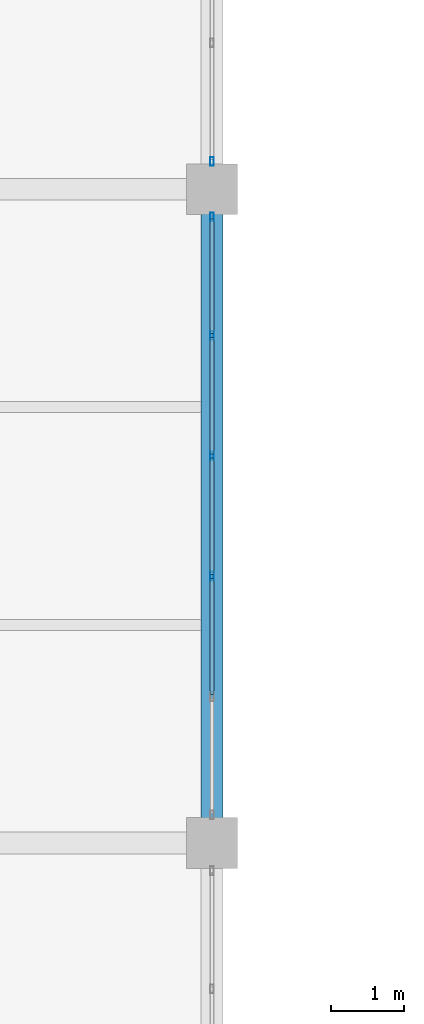
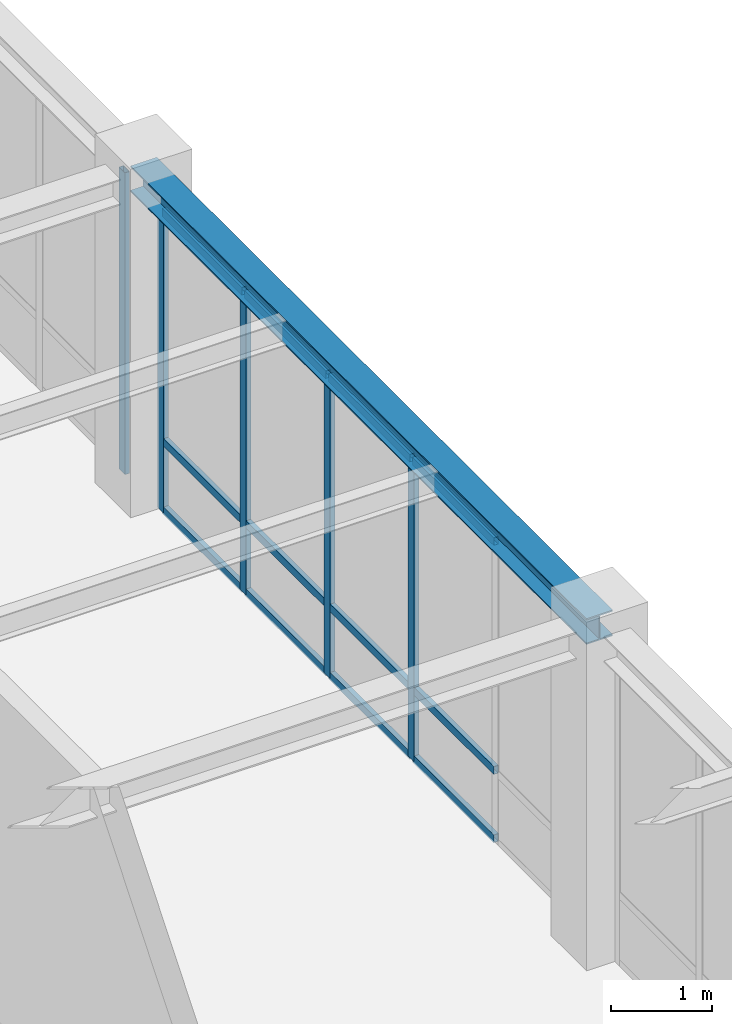
# One storey, part 61 of 108: 17 members, 1 beam, 2 elements without a shape of their own.
"""IFC4 building model written with IfcOpenShell, lengths in metres."""

import ifcopenshell
import ifcopenshell.guid

model = None  # the IFC model being written
_history = None  # IfcOwnerHistory: only IFC2X3 demands one
_inside = {}  # id of a spatial element -> (the spatial element, [elements in it])
_under = {}  # id of a project, library or spatial element -> (it, [spatial elements below it])
_declared = {}  # id of a project -> (the project, [libraries it declares])
_typed = {}  # id of a type object -> (the type object, [elements of that type])
_made_of = {}  # id of a material, layer set ... -> (it, [elements and type objects made of it])


def new_model(schema):
    """Start an empty IFC model of exactly this schema.

    Asked for "IFC4X3", IfcOpenShell would pick the latest addendum, in which some entities
    have other attributes; the version numbers below select the first issue.
    IFC2X3 requires an IfcOwnerHistory on every rooted entity: one is made here for all.
    """
    global model, _history
    if schema == "IFC4X3":
        model = ifcopenshell.file(schema_version=(4, 3, 0, 0))
    else:
        model = ifcopenshell.file(schema=schema)
    _inside.clear()
    _under.clear()
    _declared.clear()
    _typed.clear()
    _made_of.clear()
    _history = None
    if model.schema == "IFC2X3":
        org = make("IfcOrganization", Name="unknown")
        user = make(
            "IfcPersonAndOrganization",
            ThePerson=make("IfcPerson", FamilyName="unknown"),
            TheOrganization=org,
        )
        app = make(
            "IfcApplication",
            ApplicationDeveloper=org,
            Version="unknown",
            ApplicationFullName="unknown",
            ApplicationIdentifier="unknown",
        )
        _history = make(
            "IfcOwnerHistory",
            OwningUser=user,
            OwningApplication=app,
            ChangeAction="ADDED",
            CreationDate=0,
        )
    return model


def make(cls, **values):
    """One entity of the class cls with the attributes given. An attribute that is None is left unset."""
    return model.create_entity(
        cls, **{name: value for name, value in values.items() if value is not None}
    )


def rooted(cls, **values):
    """An entity with a GlobalId (a new one), such as an element, a storey or a relation."""
    return make(cls, GlobalId=ifcopenshell.guid.new(), OwnerHistory=_history, **values)


def si_unit(unit_type, name, prefix=None):
    """IfcSIUnit, for example si_unit("LENGTHUNIT", "METRE", prefix="MILLI")."""
    return make("IfcSIUnit", UnitType=unit_type, Prefix=prefix, Name=name)


def assignment(units):
    """IfcUnitAssignment: the units of a project."""
    return None if units is None else make("IfcUnitAssignment", Units=units)


def point(xyz):
    """IfcCartesianPoint."""
    return None if xyz is None else make("IfcCartesianPoint", Coordinates=xyz)


def direction(xyz):
    """IfcDirection."""
    return None if xyz is None else make("IfcDirection", DirectionRatios=xyz)


def frame(location, z_axis=None, x_axis=None):
    """IfcAxis2Placement3D, a coordinate frame: its origin and axes. An axis left out is left unset."""
    return make(
        "IfcAxis2Placement3D",
        Location=point(location),
        Axis=direction(z_axis),
        RefDirection=direction(x_axis),
    )


def frame_2d(location, x_axis=None):
    """IfcAxis2Placement2D, a coordinate frame in the plane: its origin and x axis."""
    return make(
        "IfcAxis2Placement2D", Location=point(location), RefDirection=direction(x_axis)
    )


def origin():
    """The frame at (0, 0, 0) with its axes left unset."""
    return frame((0.0, 0.0, 0.0))


def origin_2d():
    """The frame at (0, 0) in the plane with its x axis left unset."""
    return frame_2d((0.0, 0.0))


def place(relative_to, where):
    """IfcLocalPlacement: puts the frame where relative to a parent placement (None: the world)."""
    return make(
        "IfcLocalPlacement", PlacementRelTo=relative_to, RelativePlacement=where
    )


def context(
    kind, dimensions, precision=None, world=None, true_north=None, identifier=None
):
    """IfcGeometricRepresentationContext, for example the 3D "Model" context."""
    return make(
        "IfcGeometricRepresentationContext",
        ContextIdentifier=identifier,
        ContextType=kind,
        CoordinateSpaceDimension=dimensions,
        Precision=precision,
        WorldCoordinateSystem=world,
        TrueNorth=true_north,
    )


def subcontext(parent, identifier, kind, view, scale=None):
    """IfcGeometricRepresentationSubContext, for example "Body" below "Model"."""
    return make(
        "IfcGeometricRepresentationSubContext",
        ContextIdentifier=identifier,
        ContextType=kind,
        ParentContext=parent,
        TargetScale=scale,
        TargetView=view,
    )


def project(units=None, contexts=None):
    """IfcProject with its units and contexts."""
    return rooted(
        "IfcProject",
        Name="project",
        RepresentationContexts=contexts,
        UnitsInContext=assignment(units),
    )


def spatial(cls, under=None, at=None, **own):
    """A site, building, storey or space (cls), placed at a placement, below another one or the project."""
    s = rooted(cls, ObjectPlacement=at, **own)
    if under is not None:
        _under.setdefault(under.id(), (under, []))[1].append(s)
    return s


def profile(cls, at=None, kind="AREA", **sizes):
    """A parametric profile (cls). Its sizes go by their IFC names, for example OverallWidth=200.0."""
    return make(cls, ProfileType=kind, Position=at, **sizes)


def hollow_rectangle(**sizes):
    """IfcRectangleHollowProfileDef."""
    return profile("IfcRectangleHollowProfileDef", **sizes)


def i_section(**sizes):
    """IfcIShapeProfileDef."""
    return profile("IfcIShapeProfileDef", **sizes)


def extrude(swept, where, along, depth):
    """IfcExtrudedAreaSolid: the profile swept, set in the frame where, extruded along a direction by depth."""
    return make(
        "IfcExtrudedAreaSolid",
        SweptArea=swept,
        Position=where,
        ExtrudedDirection=direction(along),
        Depth=depth,
    )


def shape(context_of_items, identifier, shape_type, items):
    """IfcShapeRepresentation: the items that make up one representation, for example the "Body"."""
    return make(
        "IfcShapeRepresentation",
        ContextOfItems=context_of_items,
        RepresentationIdentifier=identifier,
        RepresentationType=shape_type,
        Items=items,
    )


def material(Name=None, Category=None):
    """IfcMaterial."""
    return make("IfcMaterial", Name=Name, Category=Category)


def material_profile(
    of_material, cross_section, Name=None, Category=None, Priority=None
):
    """IfcMaterialProfile: a cross section and its material."""
    return make(
        "IfcMaterialProfile",
        Name=Name,
        Material=of_material,
        Profile=cross_section,
        Priority=Priority,
        Category=Category,
    )


def profile_set(profiles, Name=None, composite=None):
    """IfcMaterialProfileSet."""
    return make(
        "IfcMaterialProfileSet",
        Name=Name,
        MaterialProfiles=profiles,
        CompositeProfile=composite,
    )


def made_of(thing, what):
    """Note that an element or type object is made of a material, layer set ...; save() writes the relation."""
    if what is not None:
        _made_of.setdefault(what.id(), (what, []))[1].append(thing)
    return thing


def type_object(cls, material=None, **own):
    """A type object (cls), such as IfcWallType, which elements share."""
    return made_of(rooted(cls, **own), material)


def element(
    cls,
    number,
    at=None,
    inside=None,
    cuts=None,
    type_object=None,
    material=None,
    context=None,
    identifier="Body",
    shape_type=None,
    held_by="IfcProductDefinitionShape",
    body=None,
    shapes=None,
    **own,
):
    """One element of the class cls, such as IfcWall. Its Tag is "e" and its number.

    at: its placement. inside: the storey or other place that contains it. cuts: it is an
    opening in that element (IfcRelVoidsElement). A single representation is given by context,
    identifier, shape_type and body (its items); several are given by shapes. held_by: the class
    of the entity that holds the representations. save() writes the other relations.
    """
    e = rooted(cls, Tag="e%d" % number, ObjectPlacement=at, **own)
    if body is not None:
        shapes = [shape(context, identifier, shape_type, body)]
    if shapes is not None:
        e.Representation = make(held_by, Representations=shapes)
    if inside is not None:
        _inside.setdefault(inside.id(), (inside, []))[1].append(e)
    if cuts is not None:
        rooted(
            "IfcRelVoidsElement", RelatingBuildingElement=cuts, RelatedOpeningElement=e
        )
    if type_object is not None:
        _typed.setdefault(type_object.id(), (type_object, []))[1].append(e)
    return made_of(e, material)


def aggregate(whole, parts):
    """IfcRelAggregates: a whole, such as a stair, and the parts it consists of."""
    return rooted("IfcRelAggregates", RelatingObject=whole, RelatedObjects=parts)


def save(model, path):
    """Write the relations noted so far, then the file.

    IfcRelAggregates (storeys below a building ...), IfcRelContainedInSpatialStructure (elements
    in a storey), IfcRelDefinesByType, IfcRelAssociatesMaterial and IfcRelDeclares: one each for
    every whole, place, type object, material and project.
    """
    for whole, parts in _under.values():
        aggregate(whole, parts)
    for where, things in _inside.values():
        rooted(
            "IfcRelContainedInSpatialStructure",
            RelatedElements=things,
            RelatingStructure=where,
        )
    for kind, things in _typed.values():
        rooted("IfcRelDefinesByType", RelatedObjects=things, RelatingType=kind)
    for what, things in _made_of.values():
        rooted("IfcRelAssociatesMaterial", RelatedObjects=things, RelatingMaterial=what)
    for by, libraries in _declared.values():
        rooted("IfcRelDeclares", RelatingContext=by, RelatedDefinitions=libraries)
    model.write(path)


model = new_model("IFC4")

# Units and contexts
model_context = context("Model", 3, precision=1e-05, world=origin(), true_north=direction((0.0, 1.0)))
body_context = subcontext(model_context, "Body", "Model", "MODEL_VIEW")
ifc_project = project(units=[si_unit("LENGTHUNIT", "METRE"), si_unit("AREAUNIT", "SQUARE_METRE"), si_unit("VOLUMEUNIT", "CUBIC_METRE"), si_unit("PLANEANGLEUNIT", "RADIAN"), si_unit("MASSUNIT", "GRAM", prefix="KILO")], contexts=[model_context])

# Site, building, storey
site_placement = place(None, origin())
site = spatial("IfcSite", under=ifc_project, at=site_placement, CompositionType="ELEMENT")
building_placement = place(site_placement, origin())
building = spatial("IfcBuilding", under=site, at=building_placement, Name="Lykobir Media Centre", CompositionType="ELEMENT")
storey_placement = place(building_placement, frame((0.0, 0.0, 15.0)))
storey = spatial("IfcBuildingStorey", under=building, at=storey_placement, Name="L03", CompositionType="ELEMENT", Elevation=15.0)

# Beam
ifc_material_1 = material(Name="Steel S355", Category="steel")
ifc_material_profile_1 = material_profile(ifc_material_1, i_section(OverallWidth=0.300048828125, OverallDepth=0.31005859375, WebThickness=0.009033203125, FlangeThickness=0.015380859375, at=origin_2d()), Name="HEA 320")
ifc_profile_set_1 = profile_set([ifc_material_profile_1], Name="Steel S355")
beam_type = type_object("IfcBeamType", Name="BM-HEA320", PredefinedType="BEAM", material=ifc_profile_set_1)
beam_placement = place(storey_placement, frame((99.0, 54.0, 3.804931640625), z_axis=(0.0, 1.0, 0.0), x_axis=(-1.0, 0.0, 0.0)))
element("IfcBeam", 1, at=beam_placement, inside=storey, type_object=beam_type, Name="Beam BM-L03-0990-0540-0990-0630-1880", PredefinedType="BEAM", context=body_context, shape_type="SweptSolid", body=[
    extrude(i_section(OverallWidth=0.300048828125, OverallDepth=0.31005859375, WebThickness=0.009033203125, FlangeThickness=0.015380859375, at=origin_2d()), origin(), (0.0, 0.0, 1.0), 9.0),
])

# Curtain wall, members
ifc_material_2 = material(Name="Anodized Aluminium AW-6060", Category="aluminium")
curtain_wall_type = type_object("IfcCurtainWallType", Name="CW-COURT-B", PredefinedType="NOTDEFINED", material=ifc_material_2)
curtain_wall_1_placement = place(storey_placement, origin())
curtain_wall_1 = element("IfcCurtainWall", 2, at=curtain_wall_1_placement, inside=storey, type_object=curtain_wall_type, Name="Curtain wall CW2-L03-0144", PredefinedType="NOTDEFINED")
ifc_material_profile_2 = material_profile(ifc_material_2, hollow_rectangle(XDim=0.054931640625, YDim=0.1201171875, WallThickness=0.003173828125, at=origin_2d()), Name="ALU MULLION 55x120")
ifc_profile_set_2 = profile_set([ifc_material_profile_2], Name="Anodized Aluminium AW-6060")
member_type_1 = type_object("IfcMemberType", Name="CWM-120", PredefinedType="MULLION", material=ifc_profile_set_2)
member_1_placement = place(storey_placement, frame((99.0, 62.617431640625, 0.0), z_axis=(0.0, 0.0, 1.0), x_axis=(1.0, 0.0, 0.0)))
member_1 = element("IfcMember", 3, at=member_1_placement, type_object=member_type_1, Name="CW2-L03-0144 mullion 1", PredefinedType="MULLION", context=body_context, shape_type="SweptSolid", body=[
    extrude(hollow_rectangle(XDim=0.054931640625, YDim=0.1201171875, WallThickness=0.003173828125, at=origin_2d()), origin(), (0.0, 0.0, 1.0), 3.635009765625),
])
member_2_placement = place(storey_placement, frame((99.0, 60.987060546875, 0.0), z_axis=(0.0, 0.0, 1.0), x_axis=(1.0, 0.0, 0.0)))
member_2 = element("IfcMember", 4, at=member_2_placement, type_object=member_type_1, Name="CW2-L03-0144 mullion 2", PredefinedType="MULLION", context=body_context, shape_type="SweptSolid", body=[
    extrude(hollow_rectangle(XDim=0.054931640625, YDim=0.1201171875, WallThickness=0.003173828125, at=origin_2d()), origin(), (0.0, 0.0, 1.0), 3.635009765625),
])
member_3_placement = place(storey_placement, frame((99.0, 59.3291015625, 0.0), z_axis=(0.0, 0.0, 1.0), x_axis=(1.0, 0.0, 0.0)))
member_3 = element("IfcMember", 5, at=member_3_placement, type_object=member_type_1, Name="CW2-L03-0144 mullion 3", PredefinedType="MULLION", context=body_context, shape_type="SweptSolid", body=[
    extrude(hollow_rectangle(XDim=0.054931640625, YDim=0.1201171875, WallThickness=0.003173828125, at=origin_2d()), origin(), (0.0, 0.0, 1.0), 3.635009765625),
])
member_4_placement = place(storey_placement, frame((99.0, 57.6708984375, 0.0), z_axis=(0.0, 0.0, 1.0), x_axis=(1.0, 0.0, 0.0)))
member_4 = element("IfcMember", 6, at=member_4_placement, type_object=member_type_1, Name="CW2-L03-0144 mullion 4", PredefinedType="MULLION", context=body_context, shape_type="SweptSolid", body=[
    extrude(hollow_rectangle(XDim=0.054931640625, YDim=0.1201171875, WallThickness=0.003173828125, at=origin_2d()), origin(), (0.0, 0.0, 1.0), 3.635009765625),
])

# Curtain wall, member
curtain_wall_2_placement = place(storey_placement, origin())
curtain_wall_2 = element("IfcCurtainWall", 7, at=curtain_wall_2_placement, inside=storey, type_object=curtain_wall_type, Name="Curtain wall CW2-L03-0145", PredefinedType="NOTDEFINED")
member_5_placement = place(storey_placement, frame((99.0, 63.382568359375, 0.0), z_axis=(0.0, 0.0, 1.0), x_axis=(1.0, 0.0, 0.0)))
member_5 = element("IfcMember", 8, at=member_5_placement, type_object=member_type_1, Name="CW2-L03-0145 mullion 6", PredefinedType="MULLION", context=body_context, shape_type="SweptSolid", body=[
    extrude(hollow_rectangle(XDim=0.054931640625, YDim=0.1201171875, WallThickness=0.003173828125, at=origin_2d()), origin(), (0.0, 0.0, 1.0), 3.635009765625),
])
aggregate(curtain_wall_2, [member_5])

# Member
ifc_material_profile_3 = material_profile(ifc_material_2, hollow_rectangle(XDim=0.054931640625, YDim=0.094970703125, WallThickness=0.0029296875, at=origin_2d()), Name="ALU TRANSOM 55x95")
ifc_profile_set_3 = profile_set([ifc_material_profile_3], Name="Anodized Aluminium AW-6060")
member_type_2 = type_object("IfcMemberType", Name="CWT-095", PredefinedType="USERDEFINED", material=ifc_profile_set_3)
member_6_placement = place(storey_placement, frame((99.0, 62.590087890625, 0.027587890625), z_axis=(0.0, -1.0, 0.0), x_axis=(1.0, 0.0, 0.0)))
member_6 = element("IfcMember", 9, at=member_6_placement, type_object=member_type_2, Name="CW2-L03-0144 transom 1.1", ObjectType="TRANSOM", PredefinedType="USERDEFINED", context=body_context, shape_type="SweptSolid", body=[
    extrude(hollow_rectangle(XDim=0.054931640625, YDim=0.094970703125, WallThickness=0.0029296875, at=origin_2d()), origin(), (0.0, 0.0, 1.0), 1.57568359375),
])

member_7_placement = place(storey_placement, frame((99.0, 62.590087890625, 0.85009765625), z_axis=(0.0, -1.0, 0.0), x_axis=(1.0, 0.0, 0.0)))
member_7 = element("IfcMember", 10, at=member_7_placement, type_object=member_type_2, Name="CW2-L03-0144 transom 1.2", ObjectType="TRANSOM", PredefinedType="USERDEFINED", context=body_context, shape_type="SweptSolid", body=[
    extrude(hollow_rectangle(XDim=0.054931640625, YDim=0.094970703125, WallThickness=0.0029296875, at=origin_2d()), origin(), (0.0, 0.0, 1.0), 1.57568359375),
])

member_8_placement = place(storey_placement, frame((99.0, 62.590087890625, 3.607421875), z_axis=(0.0, -1.0, 0.0), x_axis=(1.0, 0.0, 0.0)))
member_8 = element("IfcMember", 11, at=member_8_placement, type_object=member_type_2, Name="CW2-L03-0144 transom 1.3", ObjectType="TRANSOM", PredefinedType="USERDEFINED", context=body_context, shape_type="SweptSolid", body=[
    extrude(hollow_rectangle(XDim=0.054931640625, YDim=0.094970703125, WallThickness=0.0029296875, at=origin_2d()), origin(), (0.0, 0.0, 1.0), 1.57568359375),
])

member_9_placement = place(storey_placement, frame((99.0, 60.95947265625, 0.027587890625), z_axis=(0.0, -1.0, 0.0), x_axis=(1.0, 0.0, 0.0)))
member_9 = element("IfcMember", 12, at=member_9_placement, type_object=member_type_2, Name="CW2-L03-0144 transom 2.1", ObjectType="TRANSOM", PredefinedType="USERDEFINED", context=body_context, shape_type="SweptSolid", body=[
    extrude(hollow_rectangle(XDim=0.054931640625, YDim=0.094970703125, WallThickness=0.0029296875, at=origin_2d()), origin(), (0.0, 0.0, 1.0), 1.60302734375),
])

member_10_placement = place(storey_placement, frame((99.0, 60.95947265625, 0.85009765625), z_axis=(0.0, -1.0, 0.0), x_axis=(1.0, 0.0, 0.0)))
member_10 = element("IfcMember", 13, at=member_10_placement, type_object=member_type_2, Name="CW2-L03-0144 transom 2.2", ObjectType="TRANSOM", PredefinedType="USERDEFINED", context=body_context, shape_type="SweptSolid", body=[
    extrude(hollow_rectangle(XDim=0.054931640625, YDim=0.094970703125, WallThickness=0.0029296875, at=origin_2d()), origin(), (0.0, 0.0, 1.0), 1.60302734375),
])

member_11_placement = place(storey_placement, frame((99.0, 60.95947265625, 3.607421875), z_axis=(0.0, -1.0, 0.0), x_axis=(1.0, 0.0, 0.0)))
member_11 = element("IfcMember", 14, at=member_11_placement, type_object=member_type_2, Name="CW2-L03-0144 transom 2.3", ObjectType="TRANSOM", PredefinedType="USERDEFINED", context=body_context, shape_type="SweptSolid", body=[
    extrude(hollow_rectangle(XDim=0.054931640625, YDim=0.094970703125, WallThickness=0.0029296875, at=origin_2d()), origin(), (0.0, 0.0, 1.0), 1.60302734375),
])

member_12_placement = place(storey_placement, frame((99.0, 59.301513671875, 0.027587890625), z_axis=(0.0, -1.0, 0.0), x_axis=(1.0, 0.0, 0.0)))
member_12 = element("IfcMember", 15, at=member_12_placement, type_object=member_type_2, Name="CW2-L03-0144 transom 3.1", ObjectType="TRANSOM", PredefinedType="USERDEFINED", context=body_context, shape_type="SweptSolid", body=[
    extrude(hollow_rectangle(XDim=0.054931640625, YDim=0.094970703125, WallThickness=0.0029296875, at=origin_2d()), origin(), (0.0, 0.0, 1.0), 1.60302734375),
])

member_13_placement = place(storey_placement, frame((99.0, 59.301513671875, 0.85009765625), z_axis=(0.0, -1.0, 0.0), x_axis=(1.0, 0.0, 0.0)))
member_13 = element("IfcMember", 16, at=member_13_placement, type_object=member_type_2, Name="CW2-L03-0144 transom 3.2", ObjectType="TRANSOM", PredefinedType="USERDEFINED", context=body_context, shape_type="SweptSolid", body=[
    extrude(hollow_rectangle(XDim=0.054931640625, YDim=0.094970703125, WallThickness=0.0029296875, at=origin_2d()), origin(), (0.0, 0.0, 1.0), 1.60302734375),
])

member_14_placement = place(storey_placement, frame((99.0, 59.301513671875, 3.607421875), z_axis=(0.0, -1.0, 0.0), x_axis=(1.0, 0.0, 0.0)))
member_14 = element("IfcMember", 17, at=member_14_placement, type_object=member_type_2, Name="CW2-L03-0144 transom 3.3", ObjectType="TRANSOM", PredefinedType="USERDEFINED", context=body_context, shape_type="SweptSolid", body=[
    extrude(hollow_rectangle(XDim=0.054931640625, YDim=0.094970703125, WallThickness=0.0029296875, at=origin_2d()), origin(), (0.0, 0.0, 1.0), 1.60302734375),
])

member_15_placement = place(storey_placement, frame((99.0, 57.6435546875, 0.027587890625), z_axis=(0.0, -1.0, 0.0), x_axis=(1.0, 0.0, 0.0)))
member_15 = element("IfcMember", 18, at=member_15_placement, type_object=member_type_2, Name="CW2-L03-0144 transom 4.1", ObjectType="TRANSOM", PredefinedType="USERDEFINED", context=body_context, shape_type="SweptSolid", body=[
    extrude(hollow_rectangle(XDim=0.054931640625, YDim=0.094970703125, WallThickness=0.0029296875, at=origin_2d()), origin(), (0.0, 0.0, 1.0), 1.60302734375),
])

member_16_placement = place(storey_placement, frame((99.0, 57.6435546875, 0.85009765625), z_axis=(0.0, -1.0, 0.0), x_axis=(1.0, 0.0, 0.0)))
member_16 = element("IfcMember", 19, at=member_16_placement, type_object=member_type_2, Name="CW2-L03-0144 transom 4.2", ObjectType="TRANSOM", PredefinedType="USERDEFINED", context=body_context, shape_type="SweptSolid", body=[
    extrude(hollow_rectangle(XDim=0.054931640625, YDim=0.094970703125, WallThickness=0.0029296875, at=origin_2d()), origin(), (0.0, 0.0, 1.0), 1.60302734375),
])

member_17_placement = place(storey_placement, frame((99.0, 57.6435546875, 3.607421875), z_axis=(0.0, -1.0, 0.0), x_axis=(1.0, 0.0, 0.0)))
member_17 = element("IfcMember", 20, at=member_17_placement, type_object=member_type_2, Name="CW2-L03-0144 transom 4.3", ObjectType="TRANSOM", PredefinedType="USERDEFINED", context=body_context, shape_type="SweptSolid", body=[
    extrude(hollow_rectangle(XDim=0.054931640625, YDim=0.094970703125, WallThickness=0.0029296875, at=origin_2d()), origin(), (0.0, 0.0, 1.0), 1.60302734375),
])

aggregate(curtain_wall_1, [member_1, member_2, member_3, member_4, member_6, member_7, member_8, member_9, member_10, member_11, member_12, member_13, member_14, member_15, member_16, member_17])

save(model, "model.ifc")
